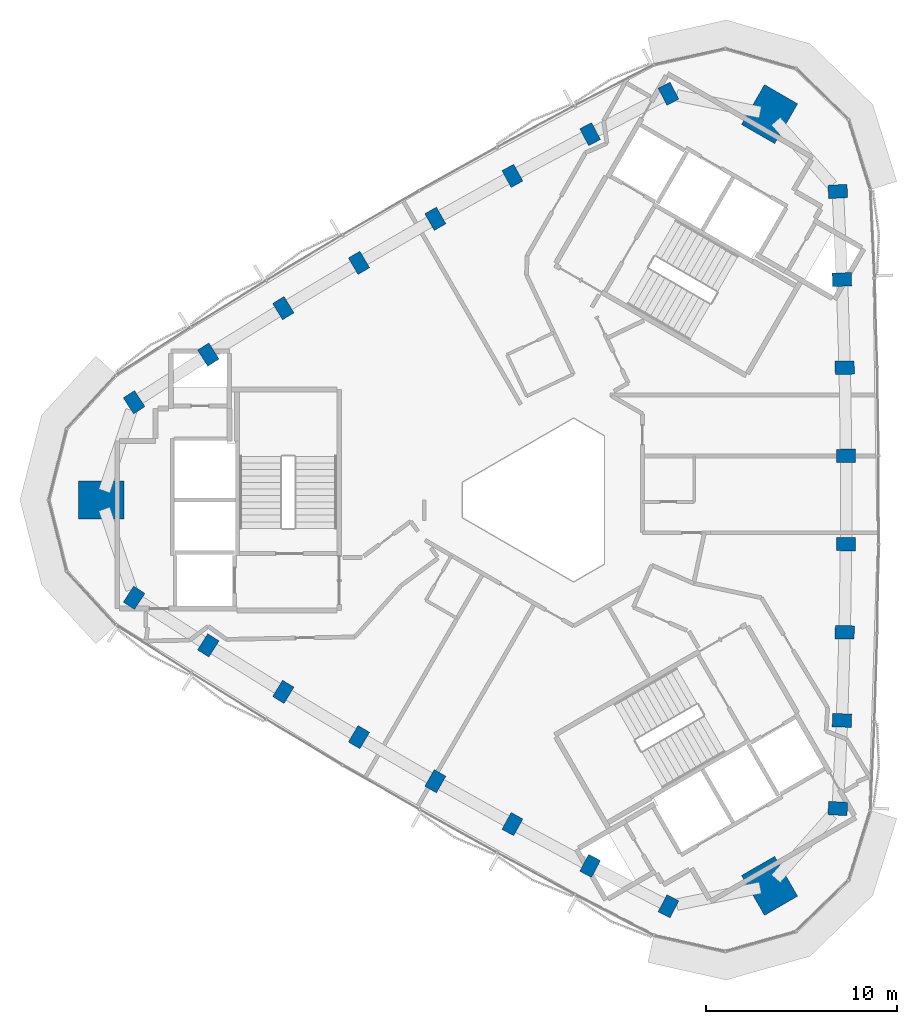
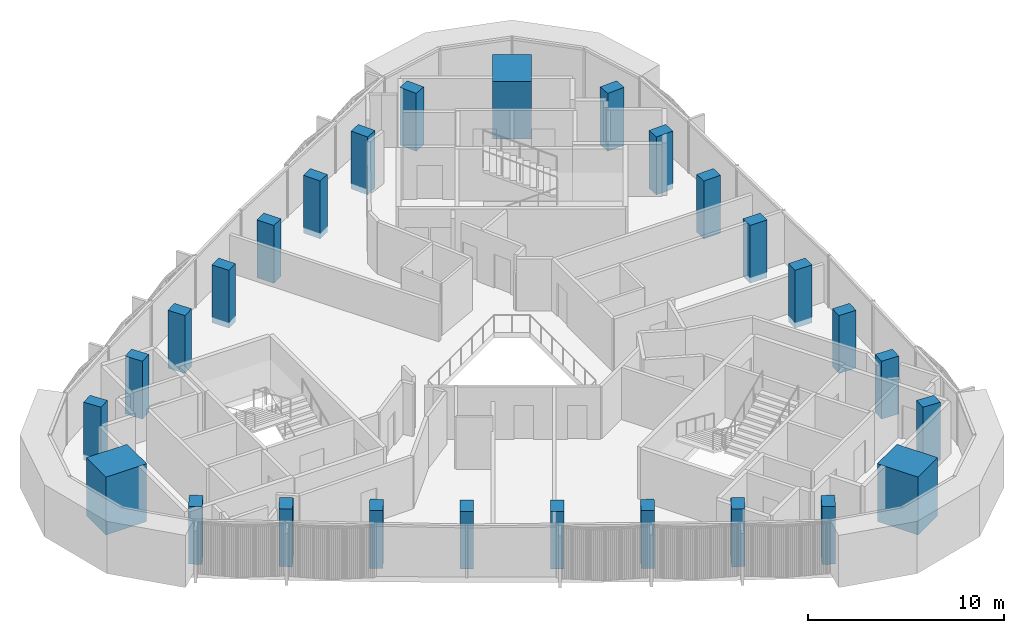
# One storey, part 1 of 12: 27 columns.
"""IFC4 building model written with IfcOpenShell, lengths in metres."""

from ifc_helpers import new_model, si_unit, direction, frame, origin, origin_2d, place, context, subcontext, project, spatial, rectangle, extrude, material, material_profile, profile_set, type_object, element, save


model = new_model("IFC4")

# Units and contexts
model_context = context("Model", 3, precision=1e-05, world=origin(), true_north=direction((0.0, 1.0)))
body_context = subcontext(model_context, "Body", "Model", "MODEL_VIEW")
ifc_project = project(units=[si_unit("LENGTHUNIT", "METRE"), si_unit("AREAUNIT", "SQUARE_METRE"), si_unit("VOLUMEUNIT", "CUBIC_METRE"), si_unit("PLANEANGLEUNIT", "RADIAN"), si_unit("MASSUNIT", "GRAM", prefix="KILO")], contexts=[model_context])

# Site, building, storey
site_placement = place(None, origin())
site = spatial("IfcSite", under=ifc_project, at=site_placement, CompositionType="ELEMENT")
building_placement = place(site_placement, origin())
building = spatial("IfcBuilding", under=site, at=building_placement, Name="Tamra Quay Hotel Tower", CompositionType="ELEMENT")
storey_placement = place(building_placement, frame((0.0, 0.0, 269.39990234375)))
storey = spatial("IfcBuildingStorey", under=building, at=storey_placement, Name="L68", CompositionType="ELEMENT", Elevation=269.39990234375)

# Columns
ifc_material = material(Name="Concrete M70", Category="concrete")
ifc_material_profile_1 = material_profile(ifc_material, rectangle(XDim=1.0, YDim=0.699951171875, at=origin_2d()), Name="COLUMN RC 700x1000 Z6")
ifc_profile_set_1 = profile_set([ifc_material_profile_1], Name="Concrete M70")
column_type_1 = type_object("IfcColumnType", Name="COLUMN RC 700x1000 Z6", PredefinedType="COLUMN", material=ifc_profile_set_1)
for number, where, z_axis, x_axis, name in (
    (1, (15.202392578125, -16.116943359375, -0.349853515625), (0.0, 0.0, 1.0), (-0.998490919119, 0.05491706873, 0.0), "COL-C6E01-L68"),
    (2, (15.418212890625, -11.51513671875, -0.349853515625), (0.0, 0.0, 1.0), (-0.999251212442, 0.03869127076, 0.0), "COL-C6E02-L68"),
    (3, (15.56201171875, -6.909912109375, -0.349853515625), (0.0, 0.0, 1.0), (-0.999717847188, 0.023753442163, 0.0), "COL-C6E03-L68"),
    (4, (15.634033203125, -2.303466796875, -0.349853515625), (0.0, 0.0, 1.0), (-0.999968634555, 0.007920221337, 0.0), "COL-C6E04-L68"),
    (5, (15.634033203125, 2.303466796875, -0.349853515625), (0.0, 0.0, 1.0), (0.999968634555, 0.007920221337, 0.0), "COL-C6E05-L68"),
    (6, (15.56201171875, 6.909912109375, -0.349853515625), (0.0, 0.0, 1.0), (0.999717847188, 0.023753442163, 0.0), "COL-C6E06-L68"),
    (7, (15.418212890625, 11.51513671875, -0.349853515625), (0.0, 0.0, 1.0), (0.999251212442, 0.03869127076, 0.0), "COL-C6E07-L68"),
    (8, (15.202392578125, 16.116943359375, -0.349853515625), (0.0, 0.0, 1.0), (0.998490919119, 0.05491706873, 0.0), "COL-C6E08-L68"),
    (9, (6.3564453125, 21.22412109375, -0.349853515625), (0.0, 0.0, 1.0), (-0.451685882938, 0.89217703577, 0.0), "COL-C6NW01-L68"),
    (10, (2.26318359375, 19.110107421875, -0.349853515625), (0.0, 0.0, 1.0), (-0.466117982839, 0.884722570117, 0.0), "COL-C6NW02-L68"),
    (11, (-1.796875, 16.93212890625, -0.349853515625), (0.0, 0.0, 1.0), (-0.479287839253, 0.877657773363, 0.0), "COL-C6NW03-L68"),
    (12, (-5.822265625, 14.69140625, -0.349853515625), (0.0, 0.0, 1.0), (-0.493125204396, 0.869958351181, 0.0), "COL-C6NW04-L68"),
    (13, (-9.81201171875, 12.3876953125, -0.349853515625), (0.0, 0.0, 1.0), (-0.506843430159, 0.862038129844, 0.0), "COL-C6NW05-L68"),
    (14, (-13.765380859375, 10.022216796875, -0.349853515625), (0.0, 0.0, 1.0), (-0.520430007934, 0.8539043312, 0.0), "COL-C6NW06-L68"),
    (15, (-17.681396484375, 7.594970703125, -0.349853515625), (0.0, 0.0, 1.0), (-0.533133229604, 0.846031299357, 0.0), "COL-C6NW07-L68"),
    (16, (-21.558837890625, 5.107421875, -0.349853515625), (0.0, 0.0, 1.0), (-0.546805036181, 0.83725996704, 0.0), "COL-C6NW08-L68"),
    (17, (-21.558837890625, -5.107421875, -0.349853515625), (0.0, 0.0, 1.0), (0.546805036181, 0.83725996704, 0.0), "COL-C6SW01-L68"),
    (18, (-17.681396484375, -7.594970703125, -0.349853515625), (0.0, 0.0, 1.0), (0.533133229604, 0.846031299357, 0.0), "COL-C6SW02-L68"),
    (19, (-13.765380859375, -10.022216796875, -0.349853515625), (0.0, 0.0, 1.0), (0.520430007934, 0.8539043312, 0.0), "COL-C6SW03-L68"),
    (20, (-9.81201171875, -12.3876953125, -0.349853515625), (0.0, 0.0, 1.0), (0.506843430159, 0.862038129844, 0.0), "COL-C6SW04-L68"),
    (21, (-5.822265625, -14.69140625, -0.349853515625), (0.0, 0.0, 1.0), (0.493125204396, 0.869958351181, 0.0), "COL-C6SW05-L68"),
    (22, (-1.796875, -16.93212890625, -0.349853515625), (0.0, 0.0, 1.0), (0.479287839253, 0.877657773363, 0.0), "COL-C6SW06-L68"),
    (23, (2.26318359375, -19.110107421875, -0.349853515625), (0.0, 0.0, 1.0), (0.466117982839, 0.884722570117, 0.0), "COL-C6SW07-L68"),
    (24, (6.3564453125, -21.22412109375, -0.349853515625), (0.0, 0.0, 1.0), (0.451685882938, 0.89217703577, 0.0), "COL-C6SW08-L68"),
):
    element("IfcColumn", number, at=place(storey_placement, frame(where, z_axis=z_axis, x_axis=x_axis)), inside=storey, type_object=column_type_1, Name=name, PredefinedType="COLUMN", context=body_context, shape_type="SweptSolid", body=[
        extrude(rectangle(XDim=1.0, YDim=0.699951171875, at=origin_2d()), origin(), (0.0, 0.0, 1.0), 3.599853515625),
    ])
ifc_material_profile_2 = material_profile(ifc_material, rectangle(XDim=2.39990234375, YDim=2.0, at=origin_2d()), Name="MEGA COLUMN RC 2000x2400 Z6")
ifc_profile_set_2 = profile_set([ifc_material_profile_2], Name="Concrete M70")
column_type_2 = type_object("IfcColumnType", Name="MEGA COLUMN RC 2000x2400 Z6", PredefinedType="COLUMN", material=ifc_profile_set_2)
for number, where, z_axis, x_axis, name in (
    (25, (11.63671875, 20.1552734375, -0.349853515625), (0.0, 0.0, 1.0), (0.5, 0.866025403784, 0.0), "COL-M6NE-L68"),
    (26, (-23.2734375, 0.0, -0.349853515625), (0.0, 0.0, 1.0), (1.0, 0.0, 0.0), "COL-M6W-L68"),
    (27, (11.63671875, -20.1552734375, -0.349853515625), (0.0, 0.0, 1.0), (-0.5, 0.866025403784, 0.0), "COL-M6SE-L68"),
):
    element("IfcColumn", number, at=place(storey_placement, frame(where, z_axis=z_axis, x_axis=x_axis)), inside=storey, type_object=column_type_2, Name=name, PredefinedType="COLUMN", context=body_context, shape_type="SweptSolid", body=[
        extrude(rectangle(XDim=2.39990234375, YDim=2.0, at=origin_2d()), origin(), (0.0, 0.0, 1.0), 3.599853515625),
    ])

save(model, "model.ifc")
